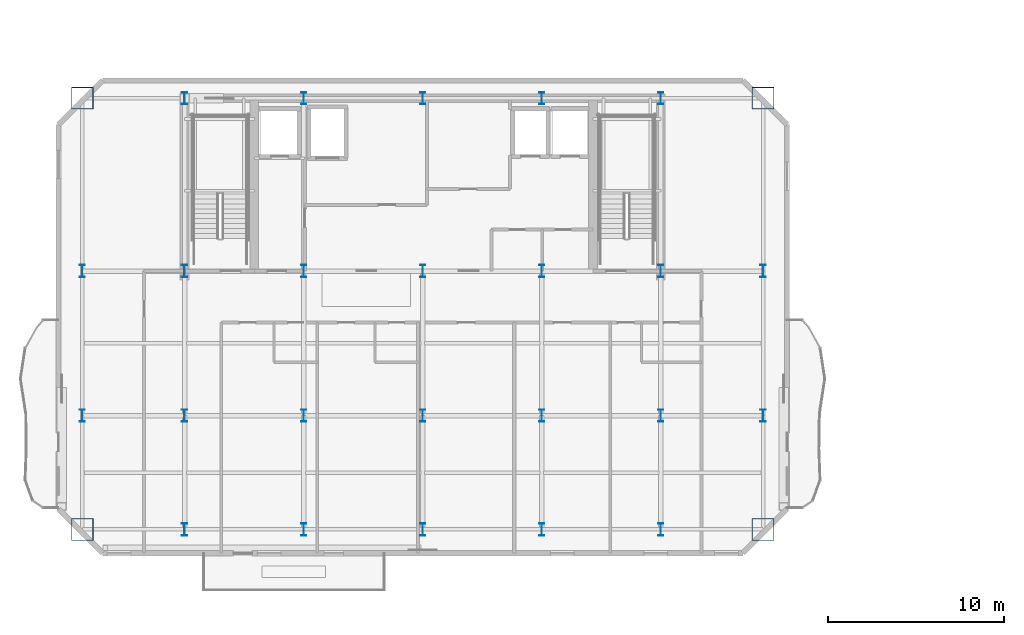
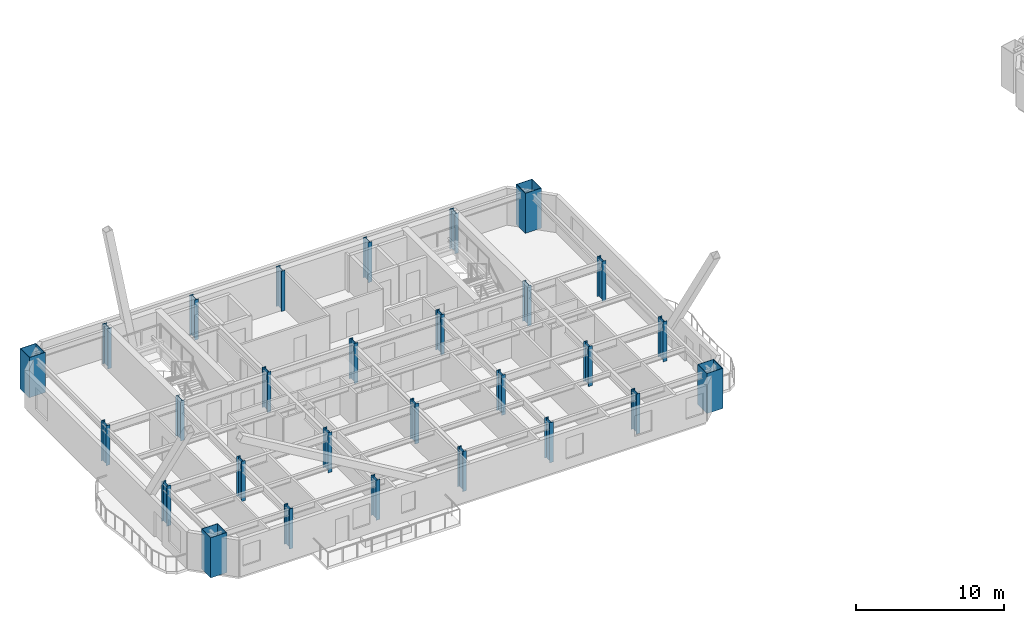
# One storey, part 1 of 13: 28 columns.
"""IFC4 building model written with IfcOpenShell, lengths in metres."""

from ifc_helpers import new_model, si_unit, direction, frame, origin, origin_2d, place, context, subcontext, project, spatial, hollow_rectangle, i_section, extrude, material, material_profile, profile_set, type_object, element, save


model = new_model("IFC4")

# Units and contexts
model_context = context("Model", 3, precision=1e-05, world=origin(), true_north=direction((0.0, 1.0)))
body_context = subcontext(model_context, "Body", "Model", "MODEL_VIEW")
ifc_project = project(units=[si_unit("LENGTHUNIT", "METRE"), si_unit("AREAUNIT", "SQUARE_METRE"), si_unit("VOLUMEUNIT", "CUBIC_METRE"), si_unit("PLANEANGLEUNIT", "RADIAN"), si_unit("MASSUNIT", "GRAM", prefix="KILO")], contexts=[model_context])

# Site, building, storey
site_placement = place(None, origin())
site = spatial("IfcSite", under=ifc_project, at=site_placement, CompositionType="ELEMENT")
building_placement = place(site_placement, origin())
building = spatial("IfcBuilding", under=site, at=building_placement, Name="Haevon Station Towers", CompositionType="ELEMENT")
storey_placement = place(building_placement, frame((0.0, 0.0, 185.699951171875)))
storey = spatial("IfcBuildingStorey", under=building, at=storey_placement, Name="L51", CompositionType="ELEMENT", Elevation=185.699951171875)

# Columns
ifc_material_1 = material(Name="Steel S460", Category="steel")
ifc_material_profile_1 = material_profile(ifc_material_1, hollow_rectangle(XDim=1.25, YDim=1.25, WallThickness=0.034912109375, at=origin_2d()), Name="BOX-1250x1250x35")
ifc_profile_set_1 = profile_set([ifc_material_profile_1], Name="Steel S460")
column_type_1 = type_object("IfcColumnType", Name="COL-MC4", PredefinedType="COLUMN", material=ifc_profile_set_1)
for number, where, z_axis, x_axis, name in (
    (1, (18.199951171875, 23.550048828125, 0.0), (0.0, 0.0, 1.0), (1.0, 0.0, 0.0), "COL-T1-L51-01-01"),
    (2, (18.199951171875, 48.0, 0.0), (0.0, 0.0, 1.0), (1.0, 0.0, 0.0), "COL-T1-L51-01-04"),
    (3, (56.800048828125, 23.550048828125, 0.0), (0.0, 0.0, 1.0), (1.0, 0.0, 0.0), "COL-T1-L51-07-01"),
    (4, (56.800048828125, 48.0, 0.0), (0.0, 0.0, 1.0), (1.0, 0.0, 0.0), "COL-T1-L51-07-04"),
):
    element("IfcColumn", number, at=place(storey_placement, frame(where, z_axis=z_axis, x_axis=x_axis)), inside=storey, type_object=column_type_1, Name=name, PredefinedType="COLUMN", context=body_context, shape_type="SweptSolid", body=[
        extrude(hollow_rectangle(XDim=1.25, YDim=1.25, WallThickness=0.034912109375, at=origin_2d()), origin(), (0.0, 0.0, 1.0), 3.300048828125),
    ])
ifc_material_2 = material(Name="Steel S355", Category="steel")
ifc_material_profile_2 = material_profile(ifc_material_2, i_section(OverallWidth=0.300048828125, OverallDepth=0.699951171875, WebThickness=0.01611328125, FlangeThickness=0.028076171875, at=origin_2d()), Name="H-700x300x16x28")
ifc_profile_set_2 = profile_set([ifc_material_profile_2], Name="Steel S355")
column_type_2 = type_object("IfcColumnType", Name="COL-TW3", PredefinedType="COLUMN", material=ifc_profile_set_2)
for number, where, z_axis, x_axis, name in (
    (5, (18.199951171875, 30.0, 0.0), (0.0, 0.0, 1.0), (1.0, 0.0, 0.0), "COL-T1-L51-01-02"),
    (6, (18.199951171875, 38.199951171875, 0.0), (0.0, 0.0, 1.0), (1.0, 0.0, 0.0), "COL-T1-L51-01-03"),
    (7, (24.0, 23.550048828125, 0.0), (0.0, 0.0, 1.0), (1.0, 0.0, 0.0), "COL-T1-L51-02-01"),
    (8, (24.0, 30.0, 0.0), (0.0, 0.0, 1.0), (1.0, 0.0, 0.0), "COL-T1-L51-02-02"),
    (9, (24.0, 38.199951171875, 0.0), (0.0, 0.0, 1.0), (1.0, 0.0, 0.0), "COL-T1-L51-02-03"),
    (10, (24.0, 48.0, 0.0), (0.0, 0.0, 1.0), (1.0, 0.0, 0.0), "COL-T1-L51-02-04"),
    (11, (30.75, 23.550048828125, 0.0), (0.0, 0.0, 1.0), (1.0, 0.0, 0.0), "COL-T1-L51-03-01"),
    (12, (30.75, 30.0, 0.0), (0.0, 0.0, 1.0), (1.0, 0.0, 0.0), "COL-T1-L51-03-02"),
    (13, (30.75, 38.199951171875, 0.0), (0.0, 0.0, 1.0), (1.0, 0.0, 0.0), "COL-T1-L51-03-03"),
    (14, (30.75, 48.0, 0.0), (0.0, 0.0, 1.0), (1.0, 0.0, 0.0), "COL-T1-L51-03-04"),
    (15, (37.5, 23.550048828125, 0.0), (0.0, 0.0, 1.0), (1.0, 0.0, 0.0), "COL-T1-L51-04-01"),
    (16, (37.5, 30.0, 0.0), (0.0, 0.0, 1.0), (1.0, 0.0, 0.0), "COL-T1-L51-04-02"),
    (17, (37.5, 38.199951171875, 0.0), (0.0, 0.0, 1.0), (1.0, 0.0, 0.0), "COL-T1-L51-04-03"),
    (18, (37.5, 48.0, 0.0), (0.0, 0.0, 1.0), (1.0, 0.0, 0.0), "COL-T1-L51-04-04"),
    (19, (44.25, 23.550048828125, 0.0), (0.0, 0.0, 1.0), (1.0, 0.0, 0.0), "COL-T1-L51-05-01"),
    (20, (44.25, 30.0, 0.0), (0.0, 0.0, 1.0), (1.0, 0.0, 0.0), "COL-T1-L51-05-02"),
    (21, (44.25, 38.199951171875, 0.0), (0.0, 0.0, 1.0), (1.0, 0.0, 0.0), "COL-T1-L51-05-03"),
    (22, (44.25, 48.0, 0.0), (0.0, 0.0, 1.0), (1.0, 0.0, 0.0), "COL-T1-L51-05-04"),
    (23, (51.0, 23.550048828125, 0.0), (0.0, 0.0, 1.0), (1.0, 0.0, 0.0), "COL-T1-L51-06-01"),
    (24, (51.0, 30.0, 0.0), (0.0, 0.0, 1.0), (1.0, 0.0, 0.0), "COL-T1-L51-06-02"),
    (25, (51.0, 38.199951171875, 0.0), (0.0, 0.0, 1.0), (1.0, 0.0, 0.0), "COL-T1-L51-06-03"),
    (26, (51.0, 48.0, 0.0), (0.0, 0.0, 1.0), (1.0, 0.0, 0.0), "COL-T1-L51-06-04"),
    (27, (56.800048828125, 30.0, 0.0), (0.0, 0.0, 1.0), (1.0, 0.0, 0.0), "COL-T1-L51-07-02"),
    (28, (56.800048828125, 38.199951171875, 0.0), (0.0, 0.0, 1.0), (1.0, 0.0, 0.0), "COL-T1-L51-07-03"),
):
    element("IfcColumn", number, at=place(storey_placement, frame(where, z_axis=z_axis, x_axis=x_axis)), inside=storey, type_object=column_type_2, Name=name, PredefinedType="COLUMN", context=body_context, shape_type="SweptSolid", body=[
        extrude(i_section(OverallWidth=0.300048828125, OverallDepth=0.699951171875, WebThickness=0.01611328125, FlangeThickness=0.028076171875, at=origin_2d()), origin(), (0.0, 0.0, 1.0), 3.300048828125),
    ])

save(model, "model.ifc")
